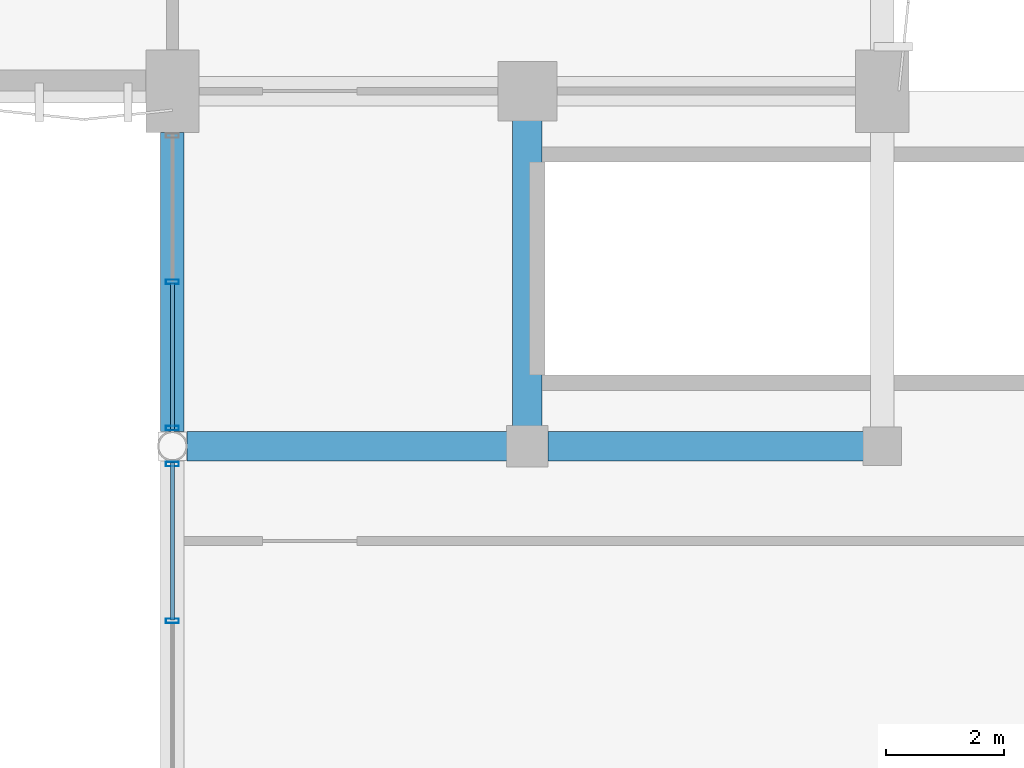
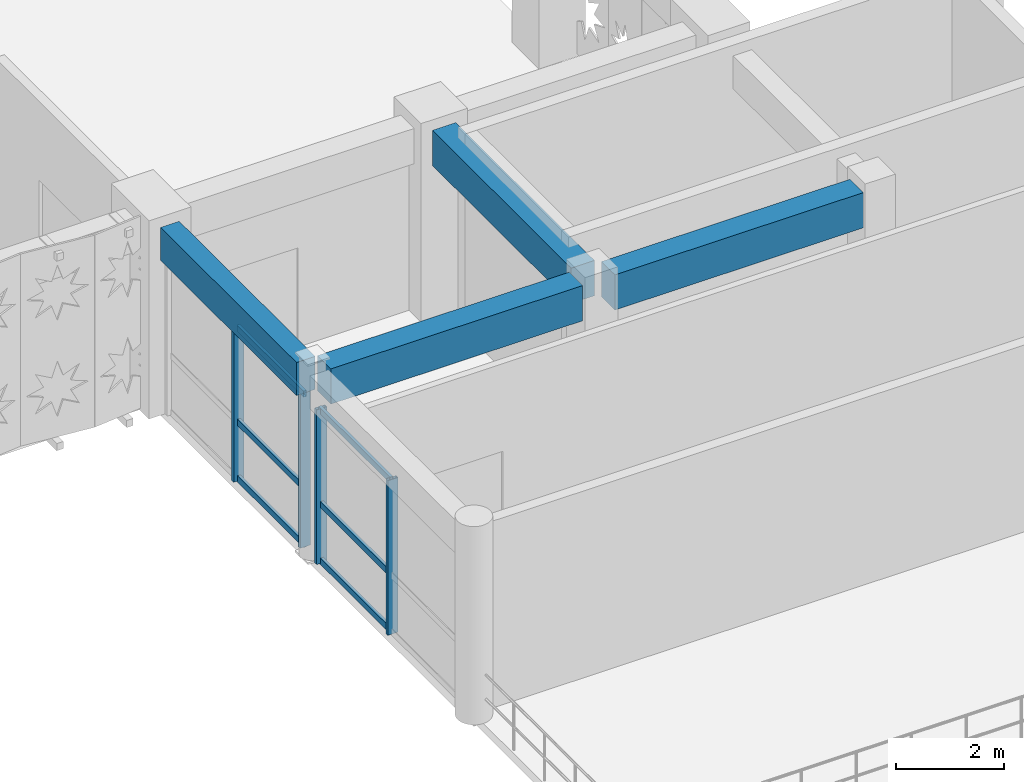
# One storey, part 16 of 116: 10 members, 4 beams, 2 elements without a shape of their own.
"""IFC4 building model written with IfcOpenShell, lengths in metres."""

from ifc_helpers import new_model, si_unit, direction, frame, origin, origin_2d, place, context, subcontext, project, spatial, rectangle, hollow_rectangle, extrude, material, material_profile, profile_set, type_object, element, aggregate, save


model = new_model("IFC4")

# Units and contexts
model_context = context("Model", 3, precision=1e-05, world=origin(), true_north=direction((0.0, 1.0)))
body_context = subcontext(model_context, "Body", "Model", "MODEL_VIEW")
ifc_project = project(units=[si_unit("LENGTHUNIT", "METRE"), si_unit("AREAUNIT", "SQUARE_METRE"), si_unit("VOLUMEUNIT", "CUBIC_METRE"), si_unit("PLANEANGLEUNIT", "RADIAN"), si_unit("MASSUNIT", "GRAM", prefix="KILO"), si_unit("THERMODYNAMICTEMPERATUREUNIT", "KELVIN"), si_unit("POWERUNIT", "WATT")], contexts=[model_context])

# Site, building, storey
site_placement = place(None, origin())
site = spatial("IfcSite", under=ifc_project, at=site_placement, CompositionType="ELEMENT")
building_placement = place(site_placement, origin())
building = spatial("IfcBuilding", under=site, at=building_placement, Name="Phaisarnlok Congress Hotel", CompositionType="ELEMENT")
storey_placement = place(building_placement, frame((0.0, 0.0, 10.5)))
storey = spatial("IfcBuildingStorey", under=building, at=storey_placement, Name="L02", CompositionType="ELEMENT", Elevation=10.5)

# Beams
ifc_material_1 = material(Name="Concrete C40/50", Category="concrete")
ifc_material_profile_1 = material_profile(ifc_material_1, rectangle(XDim=0.5, YDim=0.800048828125, at=origin_2d()), Name="RC 500x800")
ifc_profile_set_1 = profile_set([ifc_material_profile_1], Name="Concrete C40/50")
beam_type_1 = type_object("IfcBeamType", Name="BM-RC-500x800", PredefinedType="BEAM", material=ifc_profile_set_1)
beam_1_placement = place(storey_placement, frame((54.2490234375, 36.0, 3.860107421875), z_axis=(1.0, 0.0, 0.0), x_axis=(0.0, 1.0, 0.0)))
element("IfcBeam", 1, at=beam_1_placement, inside=storey, type_object=beam_type_1, Name="Beam B-04", PredefinedType="BEAM", context=body_context, shape_type="SweptSolid", body=[
    extrude(rectangle(XDim=0.5, YDim=0.800048828125, at=origin_2d()), origin(), (0.0, 0.0, 1.0), 5.406005859375),
])
beam_2_placement = place(storey_placement, frame((60.344970703125, 36.0, 3.860107421875), z_axis=(1.0, 0.0, 0.0), x_axis=(0.0, 1.0, 0.0)))
element("IfcBeam", 2, at=beam_2_placement, inside=storey, type_object=beam_type_1, Name="Beam B-04", PredefinedType="BEAM", context=body_context, shape_type="SweptSolid", body=[
    extrude(rectangle(XDim=0.5, YDim=0.800048828125, at=origin_2d()), origin(), (0.0, 0.0, 1.0), 5.3349609375),
])
beam_3_placement = place(storey_placement, frame((60.0, 36.344970703125, 3.860107421875), z_axis=(0.0, 1.0, 0.0), x_axis=(-1.0, 0.0, 0.0)))
element("IfcBeam", 3, at=beam_3_placement, inside=storey, type_object=beam_type_1, Name="Beam B-04", PredefinedType="BEAM", context=body_context, shape_type="SweptSolid", body=[
    extrude(rectangle(XDim=0.5, YDim=0.800048828125, at=origin_2d()), origin(), (0.0, 0.0, 1.0), 5.159912109375),
])

# Curtain wall, members
ifc_material_2 = material(Name="Thermally Broken Unitised Aluminium & Low-E Glazing", Category="aluminium")
curtain_wall_type_1 = type_object("IfcCurtainWallType", Name="CW-UNIT-18", PredefinedType="NOTDEFINED", material=ifc_material_2)
curtain_wall_1_placement = place(storey_placement, origin())
curtain_wall_1 = element("IfcCurtainWall", 4, at=curtain_wall_1_placement, inside=storey, type_object=curtain_wall_type_1, Name="Unitised curtain wall CW-18 (L02)", PredefinedType="NOTDEFINED")
ifc_material_3 = material(Name="Anodised Aluminium Alloy 6063-T6", Category="aluminium")
ifc_material_profile_2 = material_profile(ifc_material_3, hollow_rectangle(XDim=0.074951171875, YDim=0.219970703125, WallThickness=0.0048828125, at=origin_2d()), Name="ALU-M 75x220x5")
ifc_profile_set_2 = profile_set([ifc_material_profile_2], Name="Anodised Aluminium Alloy 6063-T6")
member_type_1 = type_object("IfcMemberType", Name="CWM-220", PredefinedType="MULLION", material=ifc_profile_set_2)
member_1_placement = place(storey_placement, frame((54.0, 38.777099609375, 0.0), z_axis=(0.0, 0.0, 1.0), x_axis=(0.0, -1.0, 0.0)))
member_1 = element("IfcMember", 5, at=member_1_placement, type_object=member_type_1, Name="Curtain wall mullion CWM-02", PredefinedType="MULLION", context=body_context, shape_type="SweptSolid", body=[
    extrude(hollow_rectangle(XDim=0.074951171875, YDim=0.219970703125, WallThickness=0.0048828125, at=origin_2d()), origin(), (0.0, 0.0, 1.0), 3.510009765625),
])
member_2_placement = place(storey_placement, frame((54.0, 36.303955078125, 0.0), z_axis=(0.0, 0.0, 1.0), x_axis=(0.0, -1.0, 0.0)))
member_2 = element("IfcMember", 6, at=member_2_placement, type_object=member_type_1, Name="Curtain wall mullion CWM-02", PredefinedType="MULLION", context=body_context, shape_type="SweptSolid", body=[
    extrude(hollow_rectangle(XDim=0.074951171875, YDim=0.219970703125, WallThickness=0.0048828125, at=origin_2d()), origin(), (0.0, 0.0, 1.0), 3.510009765625),
])

curtain_wall_type_2 = type_object("IfcCurtainWallType", Name="CW-UNIT-17", PredefinedType="NOTDEFINED", material=ifc_material_2)
curtain_wall_2_placement = place(storey_placement, origin())
curtain_wall_2 = element("IfcCurtainWall", 7, at=curtain_wall_2_placement, inside=storey, type_object=curtain_wall_type_2, Name="Unitised curtain wall CW-17 (L02)", PredefinedType="NOTDEFINED")
member_3_placement = place(storey_placement, frame((54.0, 35.696044921875, 0.0), z_axis=(0.0, 0.0, 1.0), x_axis=(0.0, -1.0, 0.0)))
member_3 = element("IfcMember", 8, at=member_3_placement, type_object=member_type_1, Name="Curtain wall mullion CWM-02", PredefinedType="MULLION", context=body_context, shape_type="SweptSolid", body=[
    extrude(hollow_rectangle(XDim=0.074951171875, YDim=0.219970703125, WallThickness=0.0048828125, at=origin_2d()), origin(), (0.0, 0.0, 1.0), 3.510009765625),
])
member_4_placement = place(storey_placement, frame((54.0, 33.048095703125, 0.0), z_axis=(0.0, 0.0, 1.0), x_axis=(0.0, -1.0, 0.0)))
member_4 = element("IfcMember", 9, at=member_4_placement, type_object=member_type_1, Name="Curtain wall mullion CWM-02", PredefinedType="MULLION", context=body_context, shape_type="SweptSolid", body=[
    extrude(hollow_rectangle(XDim=0.074951171875, YDim=0.219970703125, WallThickness=0.0048828125, at=origin_2d()), origin(), (0.0, 0.0, 1.0), 3.510009765625),
])

# Member
ifc_material_profile_3 = material_profile(ifc_material_3, hollow_rectangle(XDim=0.06494140625, YDim=0.139892578125, WallThickness=0.00390625, at=origin_2d()), Name="ALU-T 65x140x4")
ifc_profile_set_3 = profile_set([ifc_material_profile_3], Name="Anodised Aluminium Alloy 6063-T6")
member_type_2 = type_object("IfcMemberType", Name="CWT-150", PredefinedType="USERDEFINED", material=ifc_profile_set_3)
member_5_placement = place(storey_placement, frame((54.0, 38.761962890625, 0.050048828125), z_axis=(0.0, -1.0, 0.0), x_axis=(1.0, 0.0, 0.0)))
member_5 = element("IfcMember", 10, at=member_5_placement, type_object=member_type_2, Name="Curtain wall transom CWT-01", ObjectType="TRANSOM", PredefinedType="USERDEFINED", context=body_context, shape_type="SweptSolid", body=[
    extrude(hollow_rectangle(XDim=0.06494140625, YDim=0.139892578125, WallThickness=0.00390625, at=origin_2d()), origin(), (0.0, 0.0, 1.0), 2.48291015625),
])

member_6_placement = place(storey_placement, frame((54.0, 38.761962890625, 1.333740234375), z_axis=(0.0, -1.0, 0.0), x_axis=(1.0, 0.0, 0.0)))
member_6 = element("IfcMember", 11, at=member_6_placement, type_object=member_type_2, Name="Curtain wall transom CWT-01", ObjectType="TRANSOM", PredefinedType="USERDEFINED", context=body_context, shape_type="SweptSolid", body=[
    extrude(hollow_rectangle(XDim=0.06494140625, YDim=0.139892578125, WallThickness=0.00390625, at=origin_2d()), origin(), (0.0, 0.0, 1.0), 2.48291015625),
])

member_7_placement = place(storey_placement, frame((54.0, 38.761962890625, 3.4599609375), z_axis=(0.0, -1.0, 0.0), x_axis=(1.0, 0.0, 0.0)))
member_7 = element("IfcMember", 12, at=member_7_placement, type_object=member_type_2, Name="Curtain wall transom CWT-01", ObjectType="TRANSOM", PredefinedType="USERDEFINED", context=body_context, shape_type="SweptSolid", body=[
    extrude(hollow_rectangle(XDim=0.06494140625, YDim=0.139892578125, WallThickness=0.00390625, at=origin_2d()), origin(), (0.0, 0.0, 1.0), 2.48291015625),
])

aggregate(curtain_wall_1, [member_1, member_2, member_5, member_6, member_7])

member_8_placement = place(storey_placement, frame((54.0, 35.720947265625, 0.050048828125), z_axis=(0.0, -1.0, 0.0), x_axis=(1.0, 0.0, 0.0)))
member_8 = element("IfcMember", 13, at=member_8_placement, type_object=member_type_2, Name="Curtain wall transom CWT-01", ObjectType="TRANSOM", PredefinedType="USERDEFINED", context=body_context, shape_type="SweptSolid", body=[
    extrude(hollow_rectangle(XDim=0.06494140625, YDim=0.139892578125, WallThickness=0.00390625, at=origin_2d()), origin(), (0.0, 0.0, 1.0), 2.657958984375),
])

member_9_placement = place(storey_placement, frame((54.0, 35.720947265625, 1.333740234375), z_axis=(0.0, -1.0, 0.0), x_axis=(1.0, 0.0, 0.0)))
member_9 = element("IfcMember", 14, at=member_9_placement, type_object=member_type_2, Name="Curtain wall transom CWT-01", ObjectType="TRANSOM", PredefinedType="USERDEFINED", context=body_context, shape_type="SweptSolid", body=[
    extrude(hollow_rectangle(XDim=0.06494140625, YDim=0.139892578125, WallThickness=0.00390625, at=origin_2d()), origin(), (0.0, 0.0, 1.0), 2.657958984375),
])

member_10_placement = place(storey_placement, frame((54.0, 35.720947265625, 3.4599609375), z_axis=(0.0, -1.0, 0.0), x_axis=(1.0, 0.0, 0.0)))
member_10 = element("IfcMember", 15, at=member_10_placement, type_object=member_type_2, Name="Curtain wall transom CWT-01", ObjectType="TRANSOM", PredefinedType="USERDEFINED", context=body_context, shape_type="SweptSolid", body=[
    extrude(hollow_rectangle(XDim=0.06494140625, YDim=0.139892578125, WallThickness=0.00390625, at=origin_2d()), origin(), (0.0, 0.0, 1.0), 2.657958984375),
])

aggregate(curtain_wall_2, [member_3, member_4, member_8, member_9, member_10])

# Beam
ifc_material_profile_4 = material_profile(ifc_material_1, rectangle(XDim=0.39990234375, YDim=0.75, at=origin_2d()), Name="RC 400x750")
ifc_profile_set_4 = profile_set([ifc_material_profile_4], Name="Concrete C40/50")
beam_type_2 = type_object("IfcBeamType", Name="SP-RC-400x750", PredefinedType="SPANDREL", material=ifc_profile_set_4)
beam_4_placement = place(storey_placement, frame((54.0, 36.2490234375, 3.885009765625), z_axis=(0.0, 1.0, 0.0), x_axis=(-1.0, 0.0, 0.0)))
element("IfcBeam", 16, at=beam_4_placement, inside=storey, type_object=beam_type_2, Name="Beam SP-02", PredefinedType="SPANDREL", context=body_context, shape_type="SweptSolid", body=[
    extrude(rectangle(XDim=0.39990234375, YDim=0.75, at=origin_2d()), origin(), (0.0, 0.0, 1.0), 5.055908203125),
])

save(model, "model.ifc")
